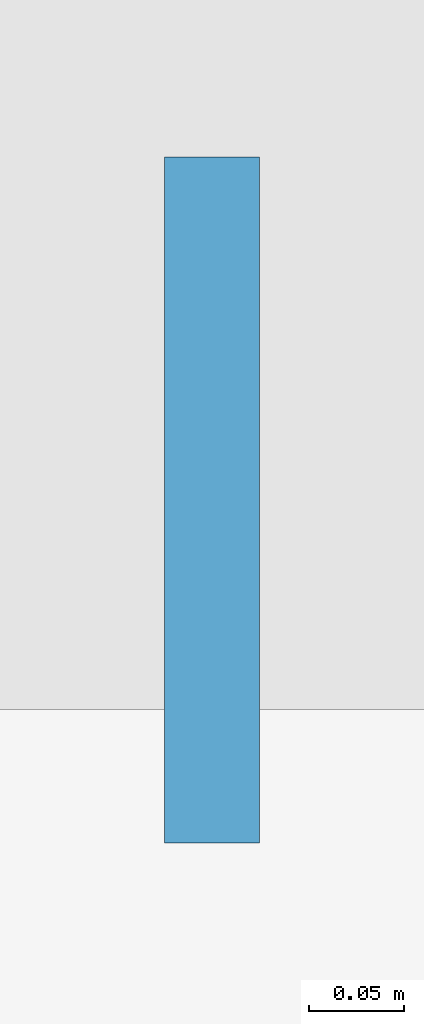
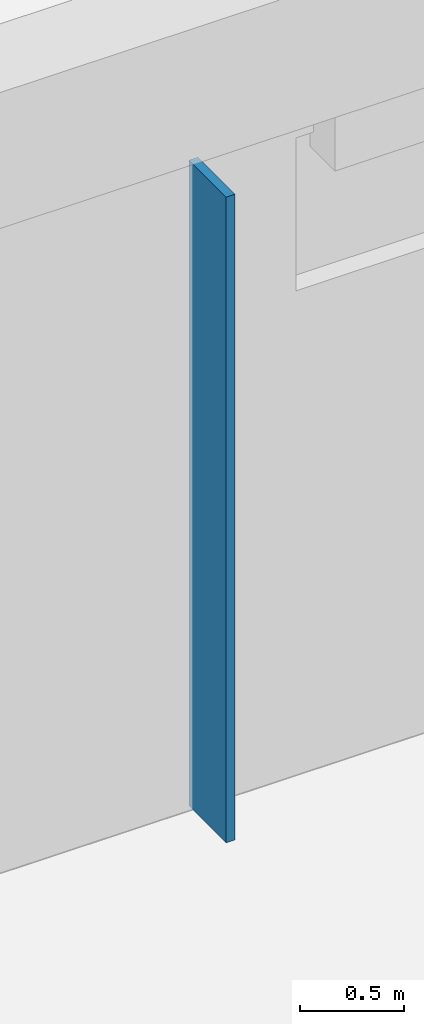
# One storey, part 35 of 85: 1 plate.
"""IFC4 building model written with IfcOpenShell, lengths in metres."""

from ifc_helpers import new_model, si_unit, direction, frame, origin, origin_2d, place, context, subcontext, project, spatial, rectangle, extrude, material, layer, layer_set, type_object, element, save


model = new_model("IFC4")

# Units and contexts
model_context = context("Model", 3, precision=1e-05, world=origin(), true_north=direction((0.0, 1.0)))
body_context = subcontext(model_context, "Body", "Model", "MODEL_VIEW")
ifc_project = project(units=[si_unit("LENGTHUNIT", "METRE"), si_unit("AREAUNIT", "SQUARE_METRE"), si_unit("VOLUMEUNIT", "CUBIC_METRE"), si_unit("PLANEANGLEUNIT", "RADIAN"), si_unit("MASSUNIT", "GRAM", prefix="KILO")], contexts=[model_context])

# Site, building, storey
site_placement = place(None, origin())
site = spatial("IfcSite", under=ifc_project, at=site_placement, CompositionType="ELEMENT")
building_placement = place(site_placement, origin())
building = spatial("IfcBuilding", under=site, at=building_placement, Name="Ochrevale Crest", CompositionType="ELEMENT")
storey_placement = place(building_placement, origin())
storey = spatial("IfcBuildingStorey", under=building, at=storey_placement, Name="L00", CompositionType="ELEMENT", Elevation=0.0)

# Plate
ifc_material = material(Name="Precast concrete C40/50", Category="concrete")
ifc_layer = layer(ifc_material, 0.050048828125)
ifc_layer_set = layer_set([ifc_layer], Name="Precast concrete C40/50")
plate_type = type_object("IfcPlateType", Name="PLT-HALL-FIN-50", PredefinedType="USERDEFINED", material=ifc_layer_set)
plate_placement = place(storey_placement, frame((66.64990234375, 43.06005859375, 0.0), z_axis=(0.0, 0.0, 1.0), x_axis=(1.0, 0.0, 0.0)))
element("IfcPlate", 1, at=plate_placement, inside=storey, type_object=plate_type, Name="Community Hall S ochre precast pilaster fin 2", ObjectType="ARCHITECTURAL FIN", PredefinedType="USERDEFINED", context=body_context, shape_type="SweptSolid", body=[
    extrude(rectangle(XDim=0.050048828125, YDim=0.360107421875, at=origin_2d()), origin(), (0.0, 0.0, 1.0), 3.800048828125),
])

save(model, "model.ifc")
